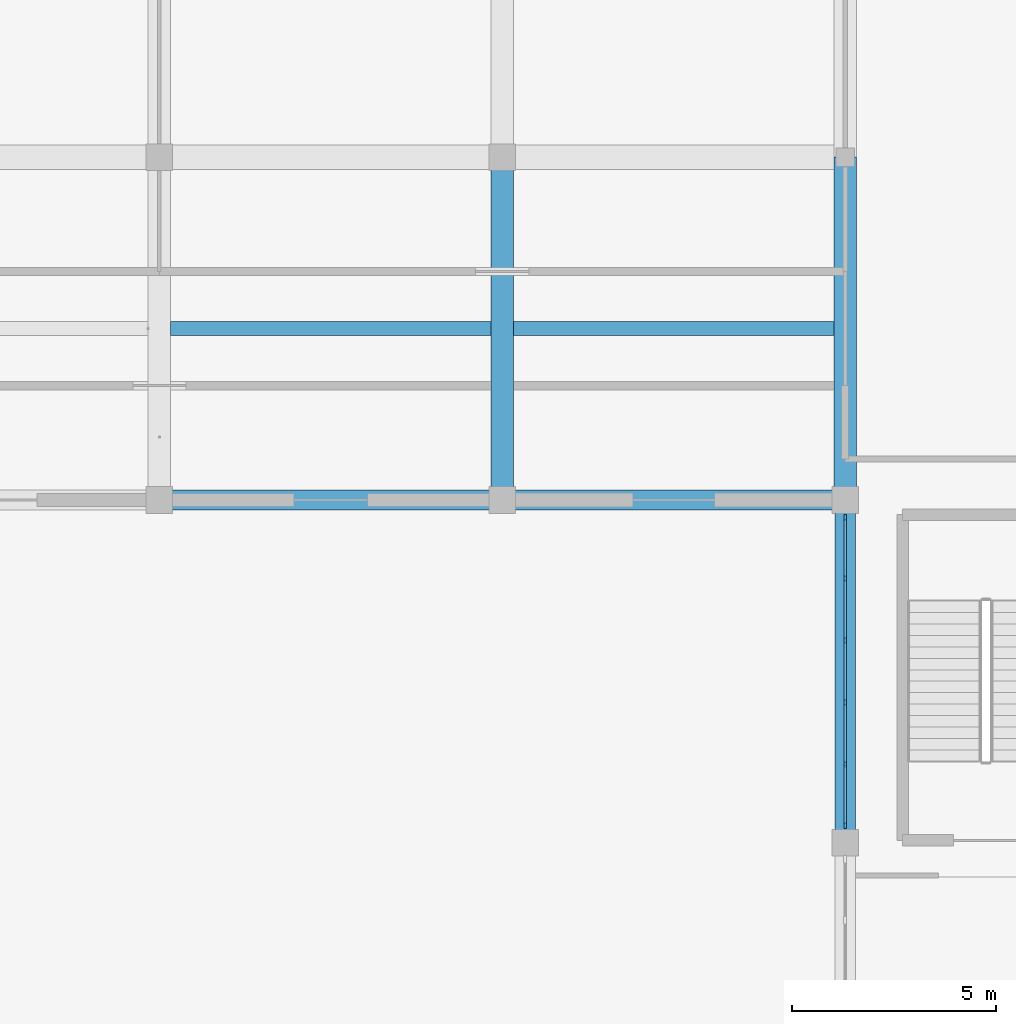
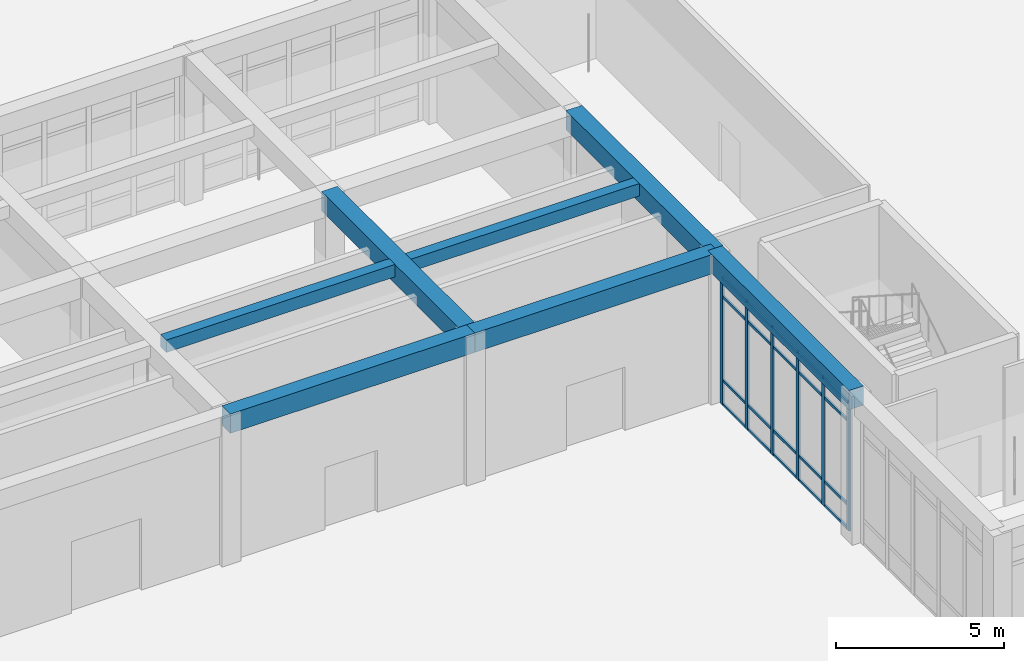
# One storey, part 11 of 167: 26 members, 7 beams, 1 element without a shape of its own.
"""IFC4 building model written with IfcOpenShell, lengths in metres."""

from ifc_helpers import new_model, si_unit, direction, frame, origin, origin_2d, place, context, subcontext, project, spatial, rectangle, extrude, material, material_profile, profile_set, type_object, element, aggregate, save


model = new_model("IFC4")

# Units and contexts
model_context = context("Model", 3, precision=1e-05, world=origin(), true_north=direction((0.0, 1.0)))
body_context = subcontext(model_context, "Body", "Model", "MODEL_VIEW")
ifc_project = project(units=[si_unit("LENGTHUNIT", "METRE"), si_unit("AREAUNIT", "SQUARE_METRE"), si_unit("VOLUMEUNIT", "CUBIC_METRE"), si_unit("PLANEANGLEUNIT", "RADIAN"), si_unit("MASSUNIT", "GRAM", prefix="KILO")], contexts=[model_context])

# Site, building, storey
site_placement = place(None, origin())
site = spatial("IfcSite", under=ifc_project, at=site_placement, CompositionType="ELEMENT")
building_placement = place(site_placement, origin())
building = spatial("IfcBuilding", under=site, at=building_placement, Name="Varncliffe General Hospital", CompositionType="ELEMENT")
storey_placement = place(building_placement, origin())
storey = spatial("IfcBuildingStorey", under=building, at=storey_placement, Name="L00", CompositionType="ELEMENT", Elevation=0.0)

# Beams
ifc_material_1 = material(Name="Concrete C35/45 (CSA A23.1 35 MPa)", Category="concrete")
ifc_material_profile_1 = material_profile(ifc_material_1, rectangle(XDim=0.550048828125, YDim=0.699951171875, at=origin_2d()), Name="RC 550x700")
ifc_profile_set_1 = profile_set([ifc_material_profile_1], Name="Concrete C35/45 (CSA A23.1 35 MPa)")
beam_type_1 = type_object("IfcBeamType", Name="Beam B35 (Int RC 550x700)", PredefinedType="BEAM", material=ifc_profile_set_1)
for number, where, z_axis, x_axis, name in (
    (1, (50.39990234375, 24.0, 5.050048828125), (0.0, 1.0, 0.0), (-1.0, 0.0, 0.0), "L00 Primary Beam B35-343"),
    (2, (58.800048828125, 24.0, 5.050048828125), (0.0, 1.0, 0.0), (-1.0, 0.0, 0.0), "L00 Primary Beam B35-354"),
):
    element("IfcBeam", number, at=place(storey_placement, frame(where, z_axis=z_axis, x_axis=x_axis)), inside=storey, type_object=beam_type_1, Name=name, PredefinedType="BEAM", context=body_context, shape_type="SweptSolid", body=[
        extrude(rectangle(XDim=0.550048828125, YDim=0.699951171875, at=origin_2d()), origin(), (0.0, 0.0, 1.0), 8.39990234375),
    ])

# Curtain wall, members
ifc_material_2 = material(Name="Triple low-E argon insulated vision glazing", Category="glass")
curtain_wall_type = type_object("IfcCurtainWallType", Name="Unitised Glazed Curtain Wall CW26 (7594x4640)", PredefinedType="USERDEFINED", material=ifc_material_2)
curtain_wall_placement = place(storey_placement, origin())
curtain_wall = element("IfcCurtainWall", 3, at=curtain_wall_placement, inside=storey, type_object=curtain_wall_type, Name="L00 Glazed Curtain Wall CW26-11", ObjectType="GLAZED CURTAIN WALL", PredefinedType="USERDEFINED")
ifc_material_3 = material(Name="Dark bronze thermally broken aluminium framing", Category="aluminium")
ifc_material_profile_2 = material_profile(ifc_material_3, rectangle(XDim=0.06494140625, YDim=0.159912109375, at=origin_2d()), Name="ALU 65x160")
ifc_profile_set_2 = profile_set([ifc_material_profile_2], Name="Dark bronze thermally broken aluminium framing")
member_type_1 = type_object("IfcMemberType", Name="Curtain Wall Mullion CM65 (ALU 65x160)", PredefinedType="MULLION", material=ifc_profile_set_2)
member_1_placement = place(storey_placement, frame((58.800048828125, 16.035400390625, 0.0), z_axis=(0.0, 0.0, 1.0), x_axis=(-1.0, 0.0, 0.0)))
member_1 = element("IfcMember", 4, at=member_1_placement, type_object=member_type_1, Name="CW26 mullion 1", PredefinedType="MULLION", context=body_context, shape_type="SweptSolid", body=[
    extrude(rectangle(XDim=0.06494140625, YDim=0.159912109375, at=origin_2d()), origin(), (0.0, 0.0, 1.0), 4.639892578125),
])
member_2_placement = place(storey_placement, frame((58.800048828125, 17.521728515625, 0.0), z_axis=(0.0, 0.0, 1.0), x_axis=(-1.0, 0.0, 0.0)))
member_2 = element("IfcMember", 5, at=member_2_placement, type_object=member_type_1, Name="CW26 mullion 2", PredefinedType="MULLION", context=body_context, shape_type="SweptSolid", body=[
    extrude(rectangle(XDim=0.06494140625, YDim=0.159912109375, at=origin_2d()), origin(), (0.0, 0.0, 1.0), 4.639892578125),
])
member_3_placement = place(storey_placement, frame((58.800048828125, 19.04052734375, 0.0), z_axis=(0.0, 0.0, 1.0), x_axis=(-1.0, 0.0, 0.0)))
member_3 = element("IfcMember", 6, at=member_3_placement, type_object=member_type_1, Name="CW26 mullion 3", PredefinedType="MULLION", context=body_context, shape_type="SweptSolid", body=[
    extrude(rectangle(XDim=0.06494140625, YDim=0.159912109375, at=origin_2d()), origin(), (0.0, 0.0, 1.0), 4.639892578125),
])
member_4_placement = place(storey_placement, frame((58.800048828125, 20.559326171875, 0.0), z_axis=(0.0, 0.0, 1.0), x_axis=(-1.0, 0.0, 0.0)))
member_4 = element("IfcMember", 7, at=member_4_placement, type_object=member_type_1, Name="CW26 mullion 4", PredefinedType="MULLION", context=body_context, shape_type="SweptSolid", body=[
    extrude(rectangle(XDim=0.06494140625, YDim=0.159912109375, at=origin_2d()), origin(), (0.0, 0.0, 1.0), 4.639892578125),
])
member_5_placement = place(storey_placement, frame((58.800048828125, 22.078125, 0.0), z_axis=(0.0, 0.0, 1.0), x_axis=(-1.0, 0.0, 0.0)))
member_5 = element("IfcMember", 8, at=member_5_placement, type_object=member_type_1, Name="CW26 mullion 5", PredefinedType="MULLION", context=body_context, shape_type="SweptSolid", body=[
    extrude(rectangle(XDim=0.06494140625, YDim=0.159912109375, at=origin_2d()), origin(), (0.0, 0.0, 1.0), 4.639892578125),
])
member_6_placement = place(storey_placement, frame((58.800048828125, 23.564453125, 0.0), z_axis=(0.0, 0.0, 1.0), x_axis=(-1.0, 0.0, 0.0)))
member_6 = element("IfcMember", 9, at=member_6_placement, type_object=member_type_1, Name="CW26 mullion 6", PredefinedType="MULLION", context=body_context, shape_type="SweptSolid", body=[
    extrude(rectangle(XDim=0.06494140625, YDim=0.159912109375, at=origin_2d()), origin(), (0.0, 0.0, 1.0), 4.639892578125),
])
ifc_material_profile_3 = material_profile(ifc_material_3, rectangle(XDim=0.06005859375, YDim=0.10009765625, at=origin_2d()), Name="ALU 60x100")
ifc_profile_set_3 = profile_set([ifc_material_profile_3], Name="Dark bronze thermally broken aluminium framing")
member_type_2 = type_object("IfcMemberType", Name="Curtain Wall Transom CT18 (ALU 60x100)", PredefinedType="USERDEFINED", material=ifc_profile_set_3)
member_7_placement = place(storey_placement, frame((58.800048828125, 16.068115234375, 0.030029296875), z_axis=(0.0, 1.0, 0.0), x_axis=(-1.0, 0.0, 0.0)))
member_7 = element("IfcMember", 10, at=member_7_placement, type_object=member_type_2, Name="CW26 transom 1.1", ObjectType="TRANSOM", PredefinedType="USERDEFINED", context=body_context, shape_type="SweptSolid", body=[
    extrude(rectangle(XDim=0.06005859375, YDim=0.10009765625, at=origin_2d()), origin(), (0.0, 0.0, 1.0), 1.421142578125),
])
member_8_placement = place(storey_placement, frame((58.800048828125, 16.068115234375, 0.89990234375), z_axis=(0.0, 1.0, 0.0), x_axis=(-1.0, 0.0, 0.0)))
member_8 = element("IfcMember", 11, at=member_8_placement, type_object=member_type_2, Name="CW26 transom 1.2", ObjectType="TRANSOM", PredefinedType="USERDEFINED", context=body_context, shape_type="SweptSolid", body=[
    extrude(rectangle(XDim=0.06005859375, YDim=0.10009765625, at=origin_2d()), origin(), (0.0, 0.0, 1.0), 1.421142578125),
])
member_9_placement = place(storey_placement, frame((58.800048828125, 16.068115234375, 3.93994140625), z_axis=(0.0, 1.0, 0.0), x_axis=(-1.0, 0.0, 0.0)))
member_9 = element("IfcMember", 12, at=member_9_placement, type_object=member_type_2, Name="CW26 transom 1.3", ObjectType="TRANSOM", PredefinedType="USERDEFINED", context=body_context, shape_type="SweptSolid", body=[
    extrude(rectangle(XDim=0.06005859375, YDim=0.10009765625, at=origin_2d()), origin(), (0.0, 0.0, 1.0), 1.421142578125),
])
member_10_placement = place(storey_placement, frame((58.800048828125, 16.068115234375, 4.610107421875), z_axis=(0.0, 1.0, 0.0), x_axis=(-1.0, 0.0, 0.0)))
member_10 = element("IfcMember", 13, at=member_10_placement, type_object=member_type_2, Name="CW26 transom 1.4", ObjectType="TRANSOM", PredefinedType="USERDEFINED", context=body_context, shape_type="SweptSolid", body=[
    extrude(rectangle(XDim=0.06005859375, YDim=0.10009765625, at=origin_2d()), origin(), (0.0, 0.0, 1.0), 1.421142578125),
])
member_11_placement = place(storey_placement, frame((58.800048828125, 17.55419921875, 0.030029296875), z_axis=(0.0, 1.0, 0.0), x_axis=(-1.0, 0.0, 0.0)))
member_11 = element("IfcMember", 14, at=member_11_placement, type_object=member_type_2, Name="CW26 transom 2.1", ObjectType="TRANSOM", PredefinedType="USERDEFINED", context=body_context, shape_type="SweptSolid", body=[
    extrude(rectangle(XDim=0.06005859375, YDim=0.10009765625, at=origin_2d()), origin(), (0.0, 0.0, 1.0), 1.453857421875),
])
member_12_placement = place(storey_placement, frame((58.800048828125, 17.55419921875, 0.89990234375), z_axis=(0.0, 1.0, 0.0), x_axis=(-1.0, 0.0, 0.0)))
member_12 = element("IfcMember", 15, at=member_12_placement, type_object=member_type_2, Name="CW26 transom 2.2", ObjectType="TRANSOM", PredefinedType="USERDEFINED", context=body_context, shape_type="SweptSolid", body=[
    extrude(rectangle(XDim=0.06005859375, YDim=0.10009765625, at=origin_2d()), origin(), (0.0, 0.0, 1.0), 1.453857421875),
])
member_13_placement = place(storey_placement, frame((58.800048828125, 17.55419921875, 3.93994140625), z_axis=(0.0, 1.0, 0.0), x_axis=(-1.0, 0.0, 0.0)))
member_13 = element("IfcMember", 16, at=member_13_placement, type_object=member_type_2, Name="CW26 transom 2.3", ObjectType="TRANSOM", PredefinedType="USERDEFINED", context=body_context, shape_type="SweptSolid", body=[
    extrude(rectangle(XDim=0.06005859375, YDim=0.10009765625, at=origin_2d()), origin(), (0.0, 0.0, 1.0), 1.453857421875),
])
member_14_placement = place(storey_placement, frame((58.800048828125, 17.55419921875, 4.610107421875), z_axis=(0.0, 1.0, 0.0), x_axis=(-1.0, 0.0, 0.0)))
member_14 = element("IfcMember", 17, at=member_14_placement, type_object=member_type_2, Name="CW26 transom 2.4", ObjectType="TRANSOM", PredefinedType="USERDEFINED", context=body_context, shape_type="SweptSolid", body=[
    extrude(rectangle(XDim=0.06005859375, YDim=0.10009765625, at=origin_2d()), origin(), (0.0, 0.0, 1.0), 1.453857421875),
])
member_15_placement = place(storey_placement, frame((58.800048828125, 19.072998046875, 0.030029296875), z_axis=(0.0, 1.0, 0.0), x_axis=(-1.0, 0.0, 0.0)))
member_15 = element("IfcMember", 18, at=member_15_placement, type_object=member_type_2, Name="CW26 transom 3.1", ObjectType="TRANSOM", PredefinedType="USERDEFINED", context=body_context, shape_type="SweptSolid", body=[
    extrude(rectangle(XDim=0.06005859375, YDim=0.10009765625, at=origin_2d()), origin(), (0.0, 0.0, 1.0), 1.453857421875),
])
member_16_placement = place(storey_placement, frame((58.800048828125, 19.072998046875, 0.89990234375), z_axis=(0.0, 1.0, 0.0), x_axis=(-1.0, 0.0, 0.0)))
member_16 = element("IfcMember", 19, at=member_16_placement, type_object=member_type_2, Name="CW26 transom 3.2", ObjectType="TRANSOM", PredefinedType="USERDEFINED", context=body_context, shape_type="SweptSolid", body=[
    extrude(rectangle(XDim=0.06005859375, YDim=0.10009765625, at=origin_2d()), origin(), (0.0, 0.0, 1.0), 1.453857421875),
])
member_17_placement = place(storey_placement, frame((58.800048828125, 19.072998046875, 3.93994140625), z_axis=(0.0, 1.0, 0.0), x_axis=(-1.0, 0.0, 0.0)))
member_17 = element("IfcMember", 20, at=member_17_placement, type_object=member_type_2, Name="CW26 transom 3.3", ObjectType="TRANSOM", PredefinedType="USERDEFINED", context=body_context, shape_type="SweptSolid", body=[
    extrude(rectangle(XDim=0.06005859375, YDim=0.10009765625, at=origin_2d()), origin(), (0.0, 0.0, 1.0), 1.453857421875),
])
member_18_placement = place(storey_placement, frame((58.800048828125, 19.072998046875, 4.610107421875), z_axis=(0.0, 1.0, 0.0), x_axis=(-1.0, 0.0, 0.0)))
member_18 = element("IfcMember", 21, at=member_18_placement, type_object=member_type_2, Name="CW26 transom 3.4", ObjectType="TRANSOM", PredefinedType="USERDEFINED", context=body_context, shape_type="SweptSolid", body=[
    extrude(rectangle(XDim=0.06005859375, YDim=0.10009765625, at=origin_2d()), origin(), (0.0, 0.0, 1.0), 1.453857421875),
])
member_19_placement = place(storey_placement, frame((58.800048828125, 20.591796875, 0.030029296875), z_axis=(0.0, 1.0, 0.0), x_axis=(-1.0, 0.0, 0.0)))
member_19 = element("IfcMember", 22, at=member_19_placement, type_object=member_type_2, Name="CW26 transom 4.1", ObjectType="TRANSOM", PredefinedType="USERDEFINED", context=body_context, shape_type="SweptSolid", body=[
    extrude(rectangle(XDim=0.06005859375, YDim=0.10009765625, at=origin_2d()), origin(), (0.0, 0.0, 1.0), 1.453857421875),
])
member_20_placement = place(storey_placement, frame((58.800048828125, 20.591796875, 0.89990234375), z_axis=(0.0, 1.0, 0.0), x_axis=(-1.0, 0.0, 0.0)))
member_20 = element("IfcMember", 23, at=member_20_placement, type_object=member_type_2, Name="CW26 transom 4.2", ObjectType="TRANSOM", PredefinedType="USERDEFINED", context=body_context, shape_type="SweptSolid", body=[
    extrude(rectangle(XDim=0.06005859375, YDim=0.10009765625, at=origin_2d()), origin(), (0.0, 0.0, 1.0), 1.453857421875),
])
member_21_placement = place(storey_placement, frame((58.800048828125, 20.591796875, 3.93994140625), z_axis=(0.0, 1.0, 0.0), x_axis=(-1.0, 0.0, 0.0)))
member_21 = element("IfcMember", 24, at=member_21_placement, type_object=member_type_2, Name="CW26 transom 4.3", ObjectType="TRANSOM", PredefinedType="USERDEFINED", context=body_context, shape_type="SweptSolid", body=[
    extrude(rectangle(XDim=0.06005859375, YDim=0.10009765625, at=origin_2d()), origin(), (0.0, 0.0, 1.0), 1.453857421875),
])
member_22_placement = place(storey_placement, frame((58.800048828125, 20.591796875, 4.610107421875), z_axis=(0.0, 1.0, 0.0), x_axis=(-1.0, 0.0, 0.0)))
member_22 = element("IfcMember", 25, at=member_22_placement, type_object=member_type_2, Name="CW26 transom 4.4", ObjectType="TRANSOM", PredefinedType="USERDEFINED", context=body_context, shape_type="SweptSolid", body=[
    extrude(rectangle(XDim=0.06005859375, YDim=0.10009765625, at=origin_2d()), origin(), (0.0, 0.0, 1.0), 1.453857421875),
])
member_23_placement = place(storey_placement, frame((58.800048828125, 22.110595703125, 0.030029296875), z_axis=(0.0, 1.0, 0.0), x_axis=(-1.0, 0.0, 0.0)))
member_23 = element("IfcMember", 26, at=member_23_placement, type_object=member_type_2, Name="CW26 transom 5.1", ObjectType="TRANSOM", PredefinedType="USERDEFINED", context=body_context, shape_type="SweptSolid", body=[
    extrude(rectangle(XDim=0.06005859375, YDim=0.10009765625, at=origin_2d()), origin(), (0.0, 0.0, 1.0), 1.42138671875),
])
member_24_placement = place(storey_placement, frame((58.800048828125, 22.110595703125, 0.89990234375), z_axis=(0.0, 1.0, 0.0), x_axis=(-1.0, 0.0, 0.0)))
member_24 = element("IfcMember", 27, at=member_24_placement, type_object=member_type_2, Name="CW26 transom 5.2", ObjectType="TRANSOM", PredefinedType="USERDEFINED", context=body_context, shape_type="SweptSolid", body=[
    extrude(rectangle(XDim=0.06005859375, YDim=0.10009765625, at=origin_2d()), origin(), (0.0, 0.0, 1.0), 1.42138671875),
])
member_25_placement = place(storey_placement, frame((58.800048828125, 22.110595703125, 3.93994140625), z_axis=(0.0, 1.0, 0.0), x_axis=(-1.0, 0.0, 0.0)))
member_25 = element("IfcMember", 28, at=member_25_placement, type_object=member_type_2, Name="CW26 transom 5.3", ObjectType="TRANSOM", PredefinedType="USERDEFINED", context=body_context, shape_type="SweptSolid", body=[
    extrude(rectangle(XDim=0.06005859375, YDim=0.10009765625, at=origin_2d()), origin(), (0.0, 0.0, 1.0), 1.42138671875),
])
member_26_placement = place(storey_placement, frame((58.800048828125, 22.110595703125, 4.610107421875), z_axis=(0.0, 1.0, 0.0), x_axis=(-1.0, 0.0, 0.0)))
member_26 = element("IfcMember", 29, at=member_26_placement, type_object=member_type_2, Name="CW26 transom 5.4", ObjectType="TRANSOM", PredefinedType="USERDEFINED", context=body_context, shape_type="SweptSolid", body=[
    extrude(rectangle(XDim=0.06005859375, YDim=0.10009765625, at=origin_2d()), origin(), (0.0, 0.0, 1.0), 1.42138671875),
])
aggregate(curtain_wall, [member_1, member_2, member_3, member_4, member_5, member_6, member_7, member_8, member_9, member_10, member_11, member_12, member_13, member_14, member_15, member_16, member_17, member_18, member_19, member_20, member_21, member_22, member_23, member_24, member_25, member_26])

# Beams
ifc_material_profile_4 = material_profile(ifc_material_1, rectangle(XDim=0.35009765625, YDim=0.449951171875, at=origin_2d()), Name="RC 350x450")
ifc_profile_set_4 = profile_set([ifc_material_profile_4], Name="Concrete C35/45 (CSA A23.1 35 MPa)")
beam_type_2 = type_object("IfcBeamType", Name="Joist J55 (Int RC 350x450)", PredefinedType="JOIST", material=ifc_profile_set_4)
for number, where, z_axis, x_axis, name in (
    (30, (42.27294921875, 28.199951171875, 5.175048828125), (1.0, 0.0, 0.0), (0.0, 1.0, 0.0), "L00 Secondary Floor Rib J55-21"),
    (31, (50.673095703125, 28.199951171875, 5.175048828125), (1.0, 0.0, 0.0), (0.0, 1.0, 0.0), "L00 Secondary Floor Rib J55-25"),
):
    element("IfcBeam", number, at=place(storey_placement, frame(where, z_axis=z_axis, x_axis=x_axis)), inside=storey, type_object=beam_type_2, Name=name, PredefinedType="JOIST", context=body_context, shape_type="SweptSolid", body=[
        extrude(rectangle(XDim=0.35009765625, YDim=0.449951171875, at=origin_2d()), origin(), (0.0, 0.0, 1.0), 7.85400390625),
    ])
ifc_material_profile_5 = material_profile(ifc_material_1, rectangle(XDim=0.5, YDim=0.699951171875, at=origin_2d()), Name="RC 500x700")
ifc_profile_set_5 = profile_set([ifc_material_profile_5], Name="Concrete C35/45 (CSA A23.1 35 MPa)")
beam_type_3 = type_object("IfcBeamType", Name="Spandrel SP19 (Ext RC 500x700)", PredefinedType="SPANDREL", material=ifc_profile_set_5)
beam_1_placement = place(storey_placement, frame((42.0, 24.0, 5.050048828125), z_axis=(1.0, 0.0, 0.0), x_axis=(0.0, 1.0, 0.0)))
element("IfcBeam", 32, at=beam_1_placement, inside=storey, type_object=beam_type_3, Name="L00 Spandrel Beam SP19-31", PredefinedType="SPANDREL", context=body_context, shape_type="SweptSolid", body=[
    extrude(rectangle(XDim=0.5, YDim=0.699951171875, at=origin_2d()), origin(), (0.0, 0.0, 1.0), 8.39990234375),
])
beam_2_placement = place(storey_placement, frame((50.39990234375, 24.0, 5.050048828125), z_axis=(1.0, 0.0, 0.0), x_axis=(0.0, 1.0, 0.0)))
element("IfcBeam", 33, at=beam_2_placement, inside=storey, type_object=beam_type_3, Name="L00 Spandrel Beam SP19-32", PredefinedType="SPANDREL", context=body_context, shape_type="SweptSolid", body=[
    extrude(rectangle(XDim=0.5, YDim=0.699951171875, at=origin_2d()), origin(), (0.0, 0.0, 1.0), 8.400146484375),
])
beam_3_placement = place(storey_placement, frame((58.800048828125, 15.60009765625, 5.050048828125), z_axis=(0.0, 1.0, 0.0), x_axis=(-1.0, 0.0, 0.0)))
element("IfcBeam", 34, at=beam_3_placement, inside=storey, type_object=beam_type_3, Name="L00 Spandrel Beam SP19-353", PredefinedType="SPANDREL", context=body_context, shape_type="SweptSolid", body=[
    extrude(rectangle(XDim=0.5, YDim=0.699951171875, at=origin_2d()), origin(), (0.0, 0.0, 1.0), 8.39990234375),
])

save(model, "model.ifc")
